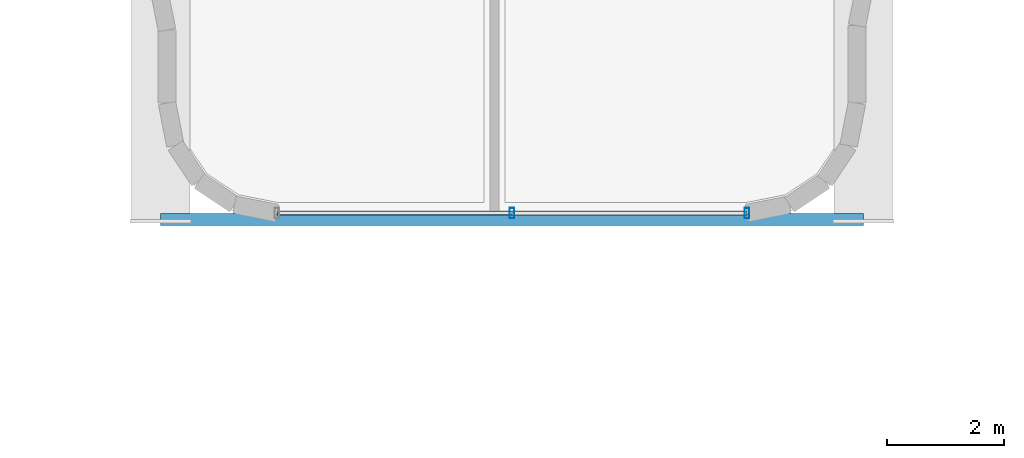
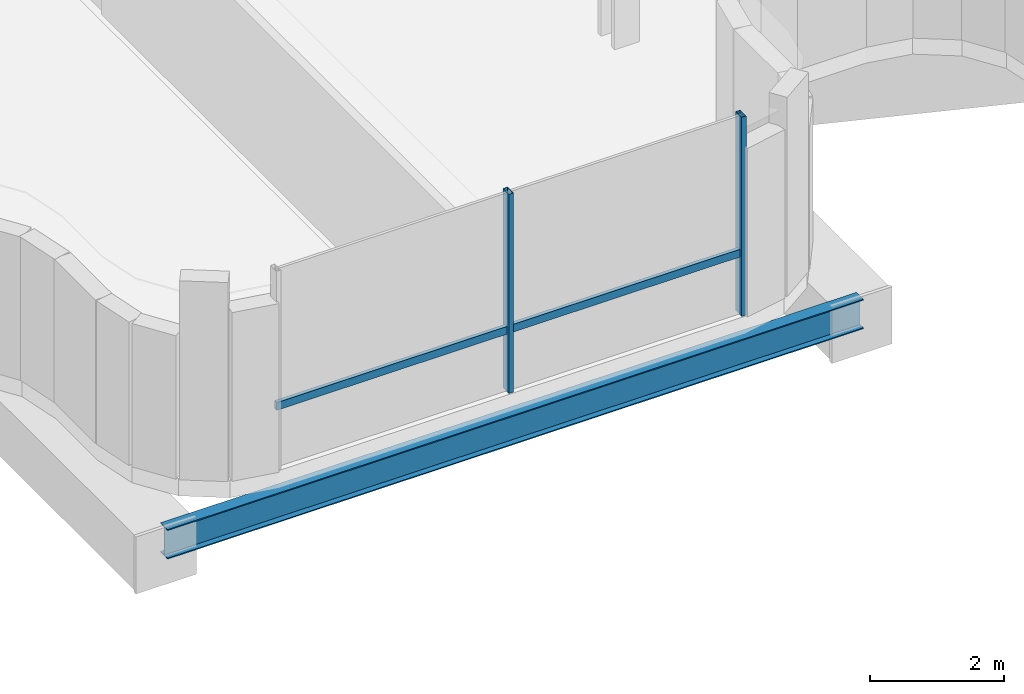
# One storey, part 10 of 36: 3 members, 1 beam, 1 element without a shape of its own.
"""IFC4 building model written with IfcOpenShell, lengths in metres."""

from ifc_helpers import new_model, si_unit, direction, frame, origin, origin_2d, place, context, subcontext, project, spatial, hollow_rectangle, i_section, extrude, source, transform, mapped, material, material_profile, profile_set, type_object, element, aggregate, save


model = new_model("IFC4")

# Units and contexts
model_context = context("Model", 3, precision=1e-05, world=origin(), true_north=direction((0.0, 1.0)))
body_context = subcontext(model_context, "Body", "Model", "MODEL_VIEW")
ifc_project = project(units=[si_unit("LENGTHUNIT", "METRE"), si_unit("AREAUNIT", "SQUARE_METRE"), si_unit("VOLUMEUNIT", "CUBIC_METRE"), si_unit("PLANEANGLEUNIT", "RADIAN"), si_unit("MASSUNIT", "GRAM", prefix="KILO")], contexts=[model_context])

# Site, building, storey
site_placement = place(None, origin())
site = spatial("IfcSite", under=ifc_project, at=site_placement, CompositionType="ELEMENT")
building_placement = place(site_placement, origin())
building = spatial("IfcBuilding", under=site, at=building_placement, Name="Valdorenza Pilgrim Sanctuary Tower", CompositionType="ELEMENT")
storey_placement = place(building_placement, frame((0.0, 0.0, 176.550048828125)))
storey = spatial("IfcBuildingStorey", under=building, at=storey_placement, Name="L45", CompositionType="ELEMENT", Elevation=176.550048828125)

# Beam
ifc_material_1 = material(Name="Steel ASTM A992 Grade 50", Category="steel")
ifc_material_profile_1 = material_profile(ifc_material_1, i_section(OverallWidth=0.2109375, OverallDepth=0.5390625, WebThickness=0.01171875, FlangeThickness=0.018798828125, at=origin_2d()), Name="W21X73")
ifc_profile_set_1 = profile_set([ifc_material_profile_1], Name="Steel ASTM A992 Grade 50")
beam_type = type_object("IfcBeamType", Name="STR-BM-SPN-W21B", PredefinedType="SPANDREL", material=ifc_profile_set_1)
shared_shape_1 = source(origin(), body_context, "Body", "SweptSolid", [
    extrude(i_section(OverallWidth=0.2109375, OverallDepth=0.5390625, WebThickness=0.01171875, FlangeThickness=0.018798828125, at=origin_2d()), origin(), (0.0, 0.0, 1.0), 12.0),
])
beam_placement = place(storey_placement, frame((-3.5, -7.199951171875, -0.589599609375), z_axis=(1.0, 0.0, 0.0), x_axis=(0.0, 1.0, 0.0)))
element("IfcBeam", 1, at=beam_placement, inside=storey, type_object=beam_type, Name="L45 South Prow Tip Spandrel PROW-TIP-S", PredefinedType="SPANDREL", context=body_context, shape_type="MappedRepresentation", body=[
    mapped(shared_shape_1, transform((0.0, 0.0, 0.0), x_axis=(1.0, 0.0, 0.0), y_axis=(0.0, 1.0, 0.0), z_axis=(0.0, 0.0, 1.0), scale=1.0)),
])

# Curtain wall, members
ifc_material_2 = material(Name="Curtain-wall IGU glazing", Category="glass")
curtain_wall_type = type_object("IfcCurtainWallType", Name="CW-SYS-05", PredefinedType="NOTDEFINED", material=ifc_material_2)
curtain_wall_placement = place(storey_placement, origin())
curtain_wall = element("IfcCurtainWall", 2, at=curtain_wall_placement, inside=storey, type_object=curtain_wall_type, Name="L45 Curtain Wall CW-L45-1-62", PredefinedType="NOTDEFINED")
ifc_material_3 = material(Name="Anodised aluminium AW-6060", Category="aluminium")
ifc_material_profile_2 = material_profile(ifc_material_3, hollow_rectangle(XDim=0.070068359375, YDim=0.139892578125, WallThickness=0.00341796875, at=origin_2d()), Name="ALU-T 140x70x3.5")
ifc_profile_set_2 = profile_set([ifc_material_profile_2], Name="Anodised aluminium AW-6060")
member_type_1 = type_object("IfcMemberType", Name="CW-TRN-05", PredefinedType="USERDEFINED", material=ifc_profile_set_2)
shared_shape_2 = source(origin(), body_context, "Body", "SweptSolid", [
    extrude(hollow_rectangle(XDim=0.070068359375, YDim=0.139892578125, WallThickness=0.00341796875, at=origin_2d()), origin(), (0.0, 0.0, 1.0), 8.0263671875),
])
member_1_placement = place(storey_placement, frame((6.51318359375, -7.090087890625, 1.119873046875), z_axis=(-1.0, 0.0, 0.0), x_axis=(0.0, -1.0, 0.0)))
member_1 = element("IfcMember", 3, at=member_1_placement, type_object=member_type_1, Name="CW-L45-1-62 Transom 1", ObjectType="TRANSOM", PredefinedType="USERDEFINED", context=body_context, shape_type="MappedRepresentation", body=[
    mapped(shared_shape_2, transform((0.0, 0.0, 0.0), x_axis=(1.0, 0.0, 0.0), y_axis=(0.0, 1.0, 0.0), z_axis=(0.0, 0.0, 1.0), scale=1.0)),
])
ifc_material_profile_3 = material_profile(ifc_material_3, hollow_rectangle(XDim=0.080078125, YDim=0.179931640625, WallThickness=0.00439453125, at=origin_2d()), Name="ALU-M 180x80x4.5")
ifc_profile_set_3 = profile_set([ifc_material_profile_3], Name="Anodised aluminium AW-6060")
member_type_2 = type_object("IfcMemberType", Name="CW-MUL-05", PredefinedType="MULLION", material=ifc_profile_set_3)
shared_shape_3 = source(origin(), body_context, "Body", "SweptSolid", [
    extrude(hollow_rectangle(XDim=0.080078125, YDim=0.179931640625, WallThickness=0.00439453125, at=origin_2d()), origin(), (0.0, 0.0, 1.0), 3.6298828125),
])
member_2_placement = place(storey_placement, frame((6.51318359375, -7.090087890625, 0.0), z_axis=(0.0, 0.0, 1.0), x_axis=(-1.0, 0.0, 0.0)))
member_2 = element("IfcMember", 4, at=member_2_placement, type_object=member_type_2, Name="CW-L45-1-62 Mullion 1", PredefinedType="MULLION", context=body_context, shape_type="MappedRepresentation", body=[
    mapped(shared_shape_3, transform((0.0, 0.0, 0.0), x_axis=(1.0, 0.0, 0.0), y_axis=(0.0, 1.0, 0.0), z_axis=(0.0, 0.0, 1.0), scale=1.0)),
])
member_3_placement = place(storey_placement, frame((2.5, -7.090087890625, 0.0), z_axis=(0.0, 0.0, 1.0), x_axis=(-1.0, 0.0, 0.0)))
member_3 = element("IfcMember", 5, at=member_3_placement, type_object=member_type_2, Name="CW-L45-1-62 Mullion 2", PredefinedType="MULLION", context=body_context, shape_type="MappedRepresentation", body=[
    mapped(shared_shape_3, transform((0.0, 0.0, 0.0), x_axis=(1.0, 0.0, 0.0), y_axis=(0.0, 1.0, 0.0), z_axis=(0.0, 0.0, 1.0), scale=1.0)),
])
aggregate(curtain_wall, [member_2, member_3, member_1])

save(model, "model.ifc")
